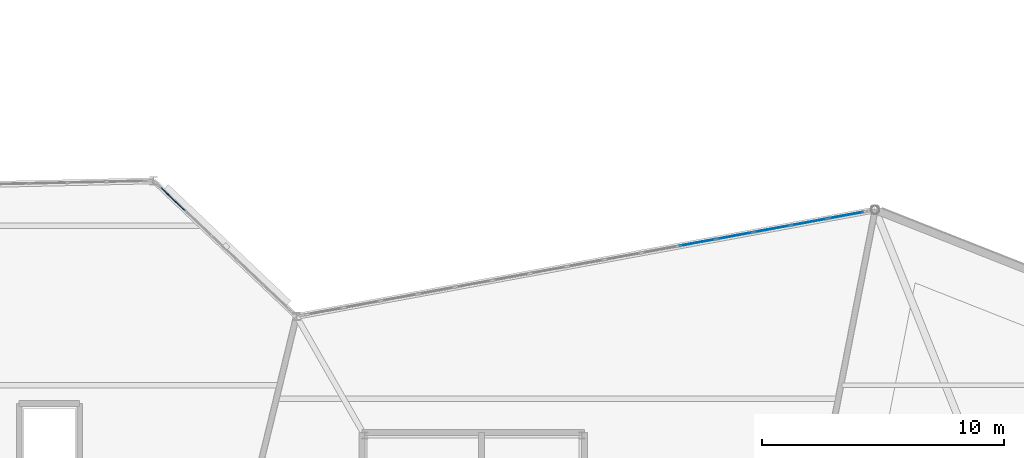
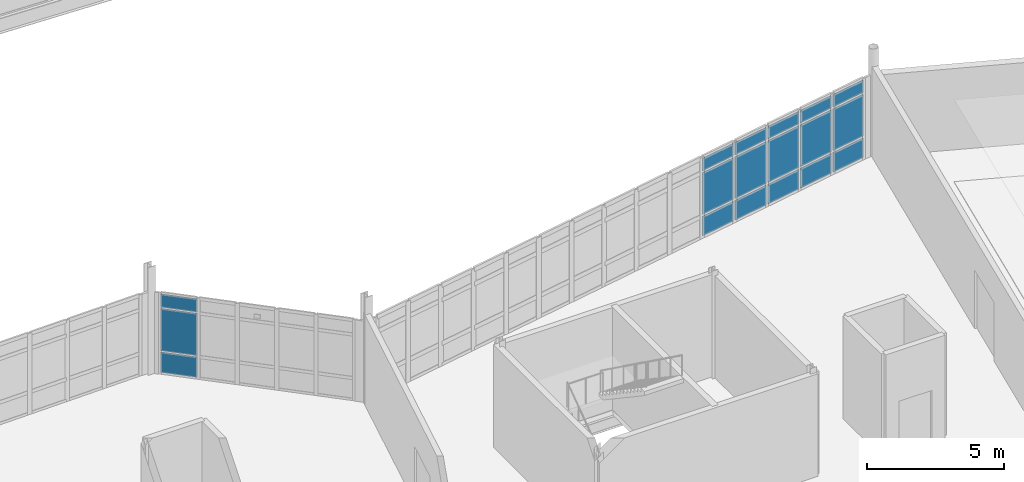
# One storey, part 75 of 114: 18 plates, 2 elements without a shape of their own.
"""IFC4 building model written with IfcOpenShell, lengths in metres."""

from ifc_helpers import new_model, si_unit, direction, frame, origin, origin_2d, place, context, subcontext, project, spatial, rectangle, extrude, material, layer, layer_set, type_object, element, aggregate, save


model = new_model("IFC4")

# Units and contexts
model_context = context("Model", 3, precision=1e-05, world=origin(), true_north=direction((0.0, 1.0)))
body_context = subcontext(model_context, "Body", "Model", "MODEL_VIEW")
ifc_project = project(units=[si_unit("LENGTHUNIT", "METRE"), si_unit("AREAUNIT", "SQUARE_METRE"), si_unit("VOLUMEUNIT", "CUBIC_METRE"), si_unit("PLANEANGLEUNIT", "RADIAN"), si_unit("MASSUNIT", "GRAM", prefix="KILO")], contexts=[model_context])

# Site, building, storey
site_placement = place(None, origin())
site = spatial("IfcSite", under=ifc_project, at=site_placement, CompositionType="ELEMENT")
building_placement = place(site_placement, origin())
building = spatial("IfcBuilding", under=site, at=building_placement, Name="Tameran Prism Museum", CompositionType="ELEMENT")
storey_placement = place(building_placement, frame((0.0, 0.0, 10.199951171875)))
storey = spatial("IfcBuildingStorey", under=building, at=storey_placement, Name="L02", CompositionType="ELEMENT", Elevation=10.199951171875)

# Curtain wall, plates
ifc_material_1 = material(Name="Anodised Aluminium 6063-T6 and Cyclone Solar Glass", Category="aluminium")
curtain_wall_type_1 = type_object("IfcCurtainWallType", Name="CW-FAC-738x362", PredefinedType="USERDEFINED", material=ifc_material_1)
curtain_wall_1_placement = place(storey_placement, origin())
curtain_wall_1 = element("IfcCurtainWall", 1, at=curtain_wall_1_placement, inside=storey, type_object=curtain_wall_type_1, Name="Unitised Curtain Wall CW-111", ObjectType="UNITISED CURTAIN WALL", PredefinedType="USERDEFINED")
ifc_material_2 = material(Name="Cyclone Laminated Solar Glass", Category="glass")
ifc_layer = layer(ifc_material_2, 0.031982421875)
ifc_layer_set = layer_set([ifc_layer])
plate_type = type_object("IfcPlateType", Name="CW-PNL-G32", PredefinedType="CURTAIN_PANEL", material=ifc_layer_set)
plate_1_placement = place(storey_placement, frame((96.6005859375, 47.840087890625, 0.06494140625), z_axis=(0.0, 0.0, 1.0), x_axis=(0.725307438491, -0.688425100987, 0.0)))
plate_1 = element("IfcPlate", 2, at=plate_1_placement, type_object=plate_type, Name="CW-111 panel 1.1", PredefinedType="CURTAIN_PANEL", context=body_context, shape_type="SweptSolid", body=[
    extrude(rectangle(XDim=1.37744140625, YDim=0.031982421875, at=origin_2d()), origin(), (0.0, 0.0, 1.0), 0.902587890625),
])
plate_2_placement = place(storey_placement, frame((96.6005859375, 47.840087890625, 1.032470703125), z_axis=(0.0, 0.0, 1.0), x_axis=(0.725307438491, -0.688425100987, 0.0)))
plate_2 = element("IfcPlate", 3, at=plate_2_placement, type_object=plate_type, Name="CW-111 panel 1.2", PredefinedType="CURTAIN_PANEL", context=body_context, shape_type="SweptSolid", body=[
    extrude(rectangle(XDim=1.37744140625, YDim=0.031982421875, at=origin_2d()), origin(), (0.0, 0.0, 1.0), 1.875),
])
plate_3_placement = place(storey_placement, frame((96.6005859375, 47.840087890625, 2.97265625), z_axis=(0.0, 0.0, 1.0), x_axis=(0.725307438491, -0.688425100987, 0.0)))
plate_3 = element("IfcPlate", 4, at=plate_3_placement, type_object=plate_type, Name="CW-111 panel 1.3", PredefinedType="CURTAIN_PANEL", context=body_context, shape_type="SweptSolid", body=[
    extrude(rectangle(XDim=1.37744140625, YDim=0.031982421875, at=origin_2d()), origin(), (0.0, 0.0, 1.0), 0.58251953125),
])
aggregate(curtain_wall_1, [plate_1, plate_2, plate_3])

ifc_material_3 = material(Name="Anodised Aluminium 6063-T6 and Cyclone Solar Glass", Category="aluminium")
curtain_wall_type_2 = type_object("IfcCurtainWallType", Name="CW-FAC-2348x362", PredefinedType="USERDEFINED", material=ifc_material_3)
curtain_wall_2_placement = place(storey_placement, origin())
curtain_wall_2 = element("IfcCurtainWall", 5, at=curtain_wall_2_placement, inside=storey, type_object=curtain_wall_type_2, Name="Unitised Curtain Wall CW-118", ObjectType="UNITISED CURTAIN WALL", PredefinedType="USERDEFINED")
plate_4_placement = place(storey_placement, frame((118.26611328125, 46.0498046875, 0.080078125), z_axis=(0.0, 0.0, 1.0), x_axis=(0.98347155585, 0.181062693106, 0.0)))
plate_4 = element("IfcPlate", 6, at=plate_4_placement, type_object=plate_type, Name="CW-118 panel 11.1", PredefinedType="CURTAIN_PANEL", context=body_context, shape_type="SweptSolid", body=[
    extrude(rectangle(XDim=1.485107421875, YDim=0.031982421875, at=origin_2d()), origin(), (0.0, 0.0, 1.0), 0.8798828125),
])
plate_5_placement = place(storey_placement, frame((118.26611328125, 46.0498046875, 1.0400390625), z_axis=(0.0, 0.0, 1.0), x_axis=(0.98347155585, 0.181062693106, 0.0)))
plate_5 = element("IfcPlate", 7, at=plate_5_placement, type_object=plate_type, Name="CW-118 panel 11.2", PredefinedType="CURTAIN_PANEL", context=body_context, shape_type="SweptSolid", body=[
    extrude(rectangle(XDim=1.485107421875, YDim=0.031982421875, at=origin_2d()), origin(), (0.0, 0.0, 1.0), 1.860107421875),
])
plate_6_placement = place(storey_placement, frame((118.26611328125, 46.0498046875, 2.97998046875), z_axis=(0.0, 0.0, 1.0), x_axis=(0.98347155585, 0.181062693106, 0.0)))
plate_6 = element("IfcPlate", 8, at=plate_6_placement, type_object=plate_type, Name="CW-118 panel 11.3", PredefinedType="CURTAIN_PANEL", context=body_context, shape_type="SweptSolid", body=[
    extrude(rectangle(XDim=1.485107421875, YDim=0.031982421875, at=origin_2d()), origin(), (0.0, 0.0, 1.0), 0.56005859375),
])
plate_7_placement = place(storey_placement, frame((119.805419921875, 46.3330078125, 0.080078125), z_axis=(0.0, 0.0, 1.0), x_axis=(0.98347155585, 0.181062693106, 0.0)))
plate_7 = element("IfcPlate", 9, at=plate_7_placement, type_object=plate_type, Name="CW-118 panel 12.1", PredefinedType="CURTAIN_PANEL", context=body_context, shape_type="SweptSolid", body=[
    extrude(rectangle(XDim=1.485107421875, YDim=0.031982421875, at=origin_2d()), origin(), (0.0, 0.0, 1.0), 0.8798828125),
])
plate_8_placement = place(storey_placement, frame((119.805419921875, 46.3330078125, 1.0400390625), z_axis=(0.0, 0.0, 1.0), x_axis=(0.98347155585, 0.181062693106, 0.0)))
plate_8 = element("IfcPlate", 10, at=plate_8_placement, type_object=plate_type, Name="CW-118 panel 12.2", PredefinedType="CURTAIN_PANEL", context=body_context, shape_type="SweptSolid", body=[
    extrude(rectangle(XDim=1.485107421875, YDim=0.031982421875, at=origin_2d()), origin(), (0.0, 0.0, 1.0), 1.860107421875),
])
plate_9_placement = place(storey_placement, frame((119.805419921875, 46.3330078125, 2.97998046875), z_axis=(0.0, 0.0, 1.0), x_axis=(0.98347155585, 0.181062693106, 0.0)))
plate_9 = element("IfcPlate", 11, at=plate_9_placement, type_object=plate_type, Name="CW-118 panel 12.3", PredefinedType="CURTAIN_PANEL", context=body_context, shape_type="SweptSolid", body=[
    extrude(rectangle(XDim=1.485107421875, YDim=0.031982421875, at=origin_2d()), origin(), (0.0, 0.0, 1.0), 0.56005859375),
])
plate_10_placement = place(storey_placement, frame((121.3447265625, 46.616455078125, 0.080078125), z_axis=(0.0, 0.0, 1.0), x_axis=(0.98347155585, 0.181062693106, 0.0)))
plate_10 = element("IfcPlate", 12, at=plate_10_placement, type_object=plate_type, Name="CW-118 panel 13.1", PredefinedType="CURTAIN_PANEL", context=body_context, shape_type="SweptSolid", body=[
    extrude(rectangle(XDim=1.485107421875, YDim=0.031982421875, at=origin_2d()), origin(), (0.0, 0.0, 1.0), 0.8798828125),
])
plate_11_placement = place(storey_placement, frame((121.3447265625, 46.616455078125, 1.0400390625), z_axis=(0.0, 0.0, 1.0), x_axis=(0.98347155585, 0.181062693106, 0.0)))
plate_11 = element("IfcPlate", 13, at=plate_11_placement, type_object=plate_type, Name="CW-118 panel 13.2", PredefinedType="CURTAIN_PANEL", context=body_context, shape_type="SweptSolid", body=[
    extrude(rectangle(XDim=1.485107421875, YDim=0.031982421875, at=origin_2d()), origin(), (0.0, 0.0, 1.0), 1.860107421875),
])
plate_12_placement = place(storey_placement, frame((121.3447265625, 46.616455078125, 2.97998046875), z_axis=(0.0, 0.0, 1.0), x_axis=(0.98347155585, 0.181062693106, 0.0)))
plate_12 = element("IfcPlate", 14, at=plate_12_placement, type_object=plate_type, Name="CW-118 panel 13.3", PredefinedType="CURTAIN_PANEL", context=body_context, shape_type="SweptSolid", body=[
    extrude(rectangle(XDim=1.485107421875, YDim=0.031982421875, at=origin_2d()), origin(), (0.0, 0.0, 1.0), 0.56005859375),
])
plate_13_placement = place(storey_placement, frame((122.884033203125, 46.89990234375, 0.080078125), z_axis=(0.0, 0.0, 1.0), x_axis=(0.98347155585, 0.181062693106, 0.0)))
plate_13 = element("IfcPlate", 15, at=plate_13_placement, type_object=plate_type, Name="CW-118 panel 14.1", PredefinedType="CURTAIN_PANEL", context=body_context, shape_type="SweptSolid", body=[
    extrude(rectangle(XDim=1.485107421875, YDim=0.031982421875, at=origin_2d()), origin(), (0.0, 0.0, 1.0), 0.8798828125),
])
plate_14_placement = place(storey_placement, frame((122.884033203125, 46.89990234375, 1.0400390625), z_axis=(0.0, 0.0, 1.0), x_axis=(0.98347155585, 0.181062693106, 0.0)))
plate_14 = element("IfcPlate", 16, at=plate_14_placement, type_object=plate_type, Name="CW-118 panel 14.2", PredefinedType="CURTAIN_PANEL", context=body_context, shape_type="SweptSolid", body=[
    extrude(rectangle(XDim=1.485107421875, YDim=0.031982421875, at=origin_2d()), origin(), (0.0, 0.0, 1.0), 1.860107421875),
])
plate_15_placement = place(storey_placement, frame((122.884033203125, 46.89990234375, 2.97998046875), z_axis=(0.0, 0.0, 1.0), x_axis=(0.98347155585, 0.181062693106, 0.0)))
plate_15 = element("IfcPlate", 17, at=plate_15_placement, type_object=plate_type, Name="CW-118 panel 14.3", PredefinedType="CURTAIN_PANEL", context=body_context, shape_type="SweptSolid", body=[
    extrude(rectangle(XDim=1.485107421875, YDim=0.031982421875, at=origin_2d()), origin(), (0.0, 0.0, 1.0), 0.56005859375),
])
plate_16_placement = place(storey_placement, frame((124.403564453125, 47.1796875, 0.080078125), z_axis=(0.0, 0.0, 1.0), x_axis=(0.98347155585, 0.181062693106, 0.0)))
plate_16 = element("IfcPlate", 18, at=plate_16_placement, type_object=plate_type, Name="CW-118 panel 15.1", PredefinedType="CURTAIN_PANEL", context=body_context, shape_type="SweptSolid", body=[
    extrude(rectangle(XDim=1.4453125, YDim=0.031982421875, at=origin_2d()), origin(), (0.0, 0.0, 1.0), 0.8798828125),
])
plate_17_placement = place(storey_placement, frame((124.403564453125, 47.1796875, 1.0400390625), z_axis=(0.0, 0.0, 1.0), x_axis=(0.98347155585, 0.181062693106, 0.0)))
plate_17 = element("IfcPlate", 19, at=plate_17_placement, type_object=plate_type, Name="CW-118 panel 15.2", PredefinedType="CURTAIN_PANEL", context=body_context, shape_type="SweptSolid", body=[
    extrude(rectangle(XDim=1.4453125, YDim=0.031982421875, at=origin_2d()), origin(), (0.0, 0.0, 1.0), 1.860107421875),
])
plate_18_placement = place(storey_placement, frame((124.403564453125, 47.1796875, 2.97998046875), z_axis=(0.0, 0.0, 1.0), x_axis=(0.98347155585, 0.181062693106, 0.0)))
plate_18 = element("IfcPlate", 20, at=plate_18_placement, type_object=plate_type, Name="CW-118 panel 15.3", PredefinedType="CURTAIN_PANEL", context=body_context, shape_type="SweptSolid", body=[
    extrude(rectangle(XDim=1.4453125, YDim=0.031982421875, at=origin_2d()), origin(), (0.0, 0.0, 1.0), 0.56005859375),
])
aggregate(curtain_wall_2, [plate_4, plate_5, plate_6, plate_7, plate_8, plate_9, plate_10, plate_11, plate_12, plate_13, plate_14, plate_15, plate_16, plate_17, plate_18])

save(model, "model.ifc")
